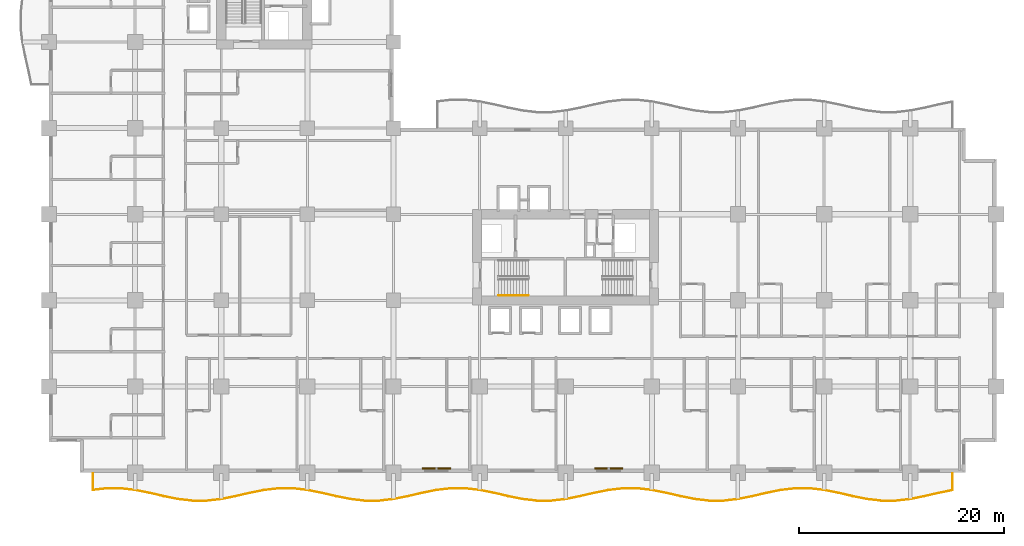
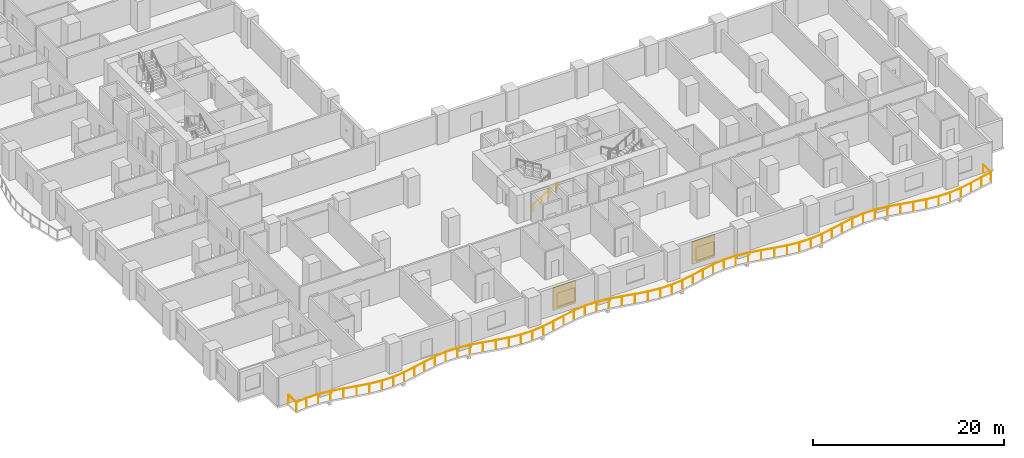
# One storey, part 17 of 20: 2 railings, 2 shading devices.
"""IFC4 building model written with IfcOpenShell, lengths in metres."""

from ifc_helpers import new_model, si_unit, direction, frame, origin, origin_2d, place, context, subcontext, project, spatial, rectangle, circle, extrude, material, layer, layer_set, type_object, element, save


model = new_model("IFC4")

# Units and contexts
model_context = context("Model", 3, precision=1e-05, world=origin(), true_north=direction((0.0, 1.0)))
body_context = subcontext(model_context, "Body", "Model", "MODEL_VIEW")
ifc_project = project(units=[si_unit("LENGTHUNIT", "METRE"), si_unit("AREAUNIT", "SQUARE_METRE"), si_unit("VOLUMEUNIT", "CUBIC_METRE"), si_unit("PLANEANGLEUNIT", "RADIAN"), si_unit("MASSUNIT", "GRAM", prefix="KILO")], contexts=[model_context])

# Site, building, storey
site_placement = place(None, origin())
site = spatial("IfcSite", under=ifc_project, at=site_placement, CompositionType="ELEMENT")
building_placement = place(site_placement, origin())
building = spatial("IfcBuilding", under=site, at=building_placement, Name="Koriwani Terraces Tower", CompositionType="ELEMENT")
storey_placement = place(building_placement, frame((0.0, 0.0, 35.800048828125)))
storey = spatial("IfcBuildingStorey", under=building, at=storey_placement, Name="L07", CompositionType="ELEMENT", Elevation=35.800048828125)

# Railings
ifc_material_1 = material(Name="Steel ASTM A572 Grade 50", Category="steel")
railing_type_1 = type_object("IfcRailingType", Name="GUARD_BALUSTRADE_1150", PredefinedType="BALUSTRADE", material=ifc_material_1)
railing_1_placement = place(storey_placement, frame((4.280029296875, -0.080078125, 0.0)))
element("IfcRailing", 1, at=railing_1_placement, inside=storey, type_object=railing_type_1, Name="L07 Balcony Perimeter Safety Balustrade (S)", PredefinedType="BALUSTRADE", context=body_context, shape_type="SweptSolid", body=[
    extrude(circle(Radius=0.02392578125, at=origin_2d()), frame((0.0, 0.0, 1.1259765625), z_axis=(0.0, -1.0, 0.0), x_axis=(1.0, 0.0, 0.0)), (0.0, 0.0, 1.0), 1.61328125),
    extrude(circle(Radius=0.02392578125, at=origin_2d()), frame((0.0, -1.61328125, 1.1259765625), z_axis=(0.993402474505, 0.11468009264, 0.0), x_axis=(-0.11468009264, 0.993402474505, 0.0)), (0.0, 0.0, 1.0), 1.32421875),
    extrude(circle(Radius=0.02392578125, at=origin_2d()), frame((1.3154296875, -1.46142578125, 1.1259765625), z_axis=(1.0, 0.0, 0.0), x_axis=(0.0, 1.0, 0.0)), (0.0, 0.0, 1.0), 1.4091796875),
    extrude(circle(Radius=0.02392578125, at=origin_2d()), frame((2.724609375, -1.46142578125, 1.1259765625), z_axis=(0.993395347306, -0.114741814309, 0.0), x_axis=(0.114741814309, 0.993395347306, 0.0)), (0.0, 0.0, 1.0), 1.4169921875),
    extrude(circle(Radius=0.02392578125, at=origin_2d()), frame((4.13232421875, -1.6240234375, 1.1259765625), z_axis=(0.980567562379, -0.196181690301, 0.0), x_axis=(0.196181690301, 0.980567562379, 0.0)), (0.0, 0.0, 1.0), 1.432373046875),
    extrude(circle(Radius=0.02392578125, at=origin_2d()), frame((5.536865234375, -1.905029296875, 1.1259765625), z_axis=(0.974325285753, -0.225144925641, 0.0), x_axis=(0.225144925641, 0.974325285753, 0.0)), (0.0, 0.0, 1.0), 1.436767578125),
    extrude(circle(Radius=0.02392578125, at=origin_2d()), frame((6.936767578125, -2.228515625, 1.1259765625), z_axis=(0.980560880312, -0.196215086073, 0.0), x_axis=(0.196215086073, 0.980560880312, 0.0)), (0.0, 0.0, 1.0), 1.42333984375),
    extrude(circle(Radius=0.02392578125, at=origin_2d()), frame((8.33251953125, -2.5078125, 1.1259765625), z_axis=(0.993387554732, -0.114809259658, 0.0), x_axis=(0.114809259658, 0.993387554732, 0.0)), (0.0, 0.0, 1.0), 1.4013671875),
    extrude(circle(Radius=0.02392578125, at=origin_2d()), frame((9.724609375, -2.668701171875, 1.1259765625), z_axis=(1.0, 0.0, 0.0), x_axis=(0.0, 1.0, 0.0)), (0.0, 0.0, 1.0), 1.390869140625),
    extrude(circle(Radius=0.02392578125, at=origin_2d()), frame((11.115478515625, -2.668701171875, 1.1259765625), z_axis=(0.993387554732, 0.114809259658, 0.0), x_axis=(-0.114809259658, 0.993387554732, 0.0)), (0.0, 0.0, 1.0), 1.4013671875),
    extrude(circle(Radius=0.02392578125, at=origin_2d()), frame((12.507568359375, -2.5078125, 1.1259765625), z_axis=(0.980554275191, 0.196248091466, 0.0), x_axis=(-0.196248091466, 0.980554275191, 0.0)), (0.0, 0.0, 1.0), 1.423095703125),
    extrude(circle(Radius=0.02392578125, at=origin_2d()), frame((13.903076171875, -2.228515625, 1.1259765625), z_axis=(0.974325285753, 0.225144925641, 0.0), x_axis=(-0.225144925641, 0.974325285753, 0.0)), (0.0, 0.0, 1.0), 1.436767578125),
    extrude(circle(Radius=0.02392578125, at=origin_2d()), frame((15.302978515625, -1.905029296875, 1.1259765625), z_axis=(0.980567562379, 0.196181690301, 0.0), x_axis=(-0.196181690301, 0.980567562379, 0.0)), (0.0, 0.0, 1.0), 1.432373046875),
    extrude(circle(Radius=0.02392578125, at=origin_2d()), frame((16.70751953125, -1.6240234375, 1.1259765625), z_axis=(0.993397614974, 0.114722179915, 0.0), x_axis=(-0.114722179915, 0.993397614974, 0.0)), (0.0, 0.0, 1.0), 1.417236328125),
    extrude(circle(Radius=0.02392578125, at=origin_2d()), frame((18.115478515625, -1.46142578125, 1.1259765625), z_axis=(1.0, 0.0, 0.0), x_axis=(0.0, 1.0, 0.0)), (0.0, 0.0, 1.0), 1.4091796875),
    extrude(circle(Radius=0.02392578125, at=origin_2d()), frame((19.524658203125, -1.46142578125, 1.1259765625), z_axis=(0.993395347306, -0.114741814309, 0.0), x_axis=(0.114741814309, 0.993395347306, 0.0)), (0.0, 0.0, 1.0), 1.4169921875),
    extrude(circle(Radius=0.02392578125, at=origin_2d()), frame((20.932373046875, -1.6240234375, 1.1259765625), z_axis=(0.980567562379, -0.196181690301, 0.0), x_axis=(0.196181690301, 0.980567562379, 0.0)), (0.0, 0.0, 1.0), 1.432373046875),
    extrude(circle(Radius=0.02392578125, at=origin_2d()), frame((22.3369140625, -1.905029296875, 1.1259765625), z_axis=(0.974325285753, -0.225144925641, 0.0), x_axis=(0.225144925641, 0.974325285753, 0.0)), (0.0, 0.0, 1.0), 1.436767578125),
    extrude(circle(Radius=0.02392578125, at=origin_2d()), frame((23.73681640625, -2.228515625, 1.1259765625), z_axis=(0.980560880312, -0.196215086073, 0.0), x_axis=(0.196215086073, 0.980560880312, 0.0)), (0.0, 0.0, 1.0), 1.42333984375),
    extrude(circle(Radius=0.02392578125, at=origin_2d()), frame((25.132568359375, -2.5078125, 1.1259765625), z_axis=(0.993387554732, -0.114809259658, 0.0), x_axis=(0.114809259658, 0.993387554732, 0.0)), (0.0, 0.0, 1.0), 1.4013671875),
    extrude(circle(Radius=0.02392578125, at=origin_2d()), frame((26.524658203125, -2.668701171875, 1.1259765625), z_axis=(1.0, 0.0, 0.0), x_axis=(0.0, 1.0, 0.0)), (0.0, 0.0, 1.0), 1.390625),
    extrude(circle(Radius=0.02392578125, at=origin_2d()), frame((27.915283203125, -2.668701171875, 1.1259765625), z_axis=(0.993387554732, 0.114809259658, 0.0), x_axis=(-0.114809259658, 0.993387554732, 0.0)), (0.0, 0.0, 1.0), 1.4013671875),
    extrude(circle(Radius=0.02392578125, at=origin_2d()), frame((29.307373046875, -2.5078125, 1.1259765625), z_axis=(0.980560880312, 0.196215086073, 0.0), x_axis=(-0.196215086073, 0.980560880312, 0.0)), (0.0, 0.0, 1.0), 1.42333984375),
    extrude(circle(Radius=0.02392578125, at=origin_2d()), frame((30.703125, -2.228515625, 1.1259765625), z_axis=(0.974325285753, 0.225144925641, 0.0), x_axis=(-0.225144925641, 0.974325285753, 0.0)), (0.0, 0.0, 1.0), 1.436767578125),
    extrude(circle(Radius=0.02392578125, at=origin_2d()), frame((32.10302734375, -1.905029296875, 1.1259765625), z_axis=(0.980567562379, 0.196181690301, 0.0), x_axis=(-0.196181690301, 0.980567562379, 0.0)), (0.0, 0.0, 1.0), 1.432373046875),
    extrude(circle(Radius=0.02392578125, at=origin_2d()), frame((33.507568359375, -1.6240234375, 1.1259765625), z_axis=(0.993395347306, 0.114741814309, 0.0), x_axis=(-0.114741814309, 0.993395347306, 0.0)), (0.0, 0.0, 1.0), 1.4169921875),
    extrude(circle(Radius=0.02392578125, at=origin_2d()), frame((34.915283203125, -1.46142578125, 1.1259765625), z_axis=(1.0, 0.0, 0.0), x_axis=(0.0, 1.0, 0.0)), (0.0, 0.0, 1.0), 1.4091796875),
    extrude(circle(Radius=0.02392578125, at=origin_2d()), frame((36.324462890625, -1.46142578125, 1.1259765625), z_axis=(0.993397614974, -0.114722179915, 0.0), x_axis=(0.114722179915, 0.993397614974, 0.0)), (0.0, 0.0, 1.0), 1.417236328125),
    extrude(circle(Radius=0.02392578125, at=origin_2d()), frame((37.732421875, -1.6240234375, 1.1259765625), z_axis=(0.980567562379, -0.196181690301, 0.0), x_axis=(0.196181690301, 0.980567562379, 0.0)), (0.0, 0.0, 1.0), 1.432373046875),
    extrude(circle(Radius=0.02392578125, at=origin_2d()), frame((39.136962890625, -1.905029296875, 1.1259765625), z_axis=(0.974325285753, -0.225144925641, 0.0), x_axis=(0.225144925641, 0.974325285753, 0.0)), (0.0, 0.0, 1.0), 1.436767578125),
    extrude(circle(Radius=0.02392578125, at=origin_2d()), frame((40.536865234375, -2.228515625, 1.1259765625), z_axis=(0.980554275191, -0.196248091466, 0.0), x_axis=(0.196248091466, 0.980554275191, 0.0)), (0.0, 0.0, 1.0), 1.423095703125),
    extrude(circle(Radius=0.02392578125, at=origin_2d()), frame((41.932373046875, -2.5078125, 1.1259765625), z_axis=(0.993387554732, -0.114809259658, 0.0), x_axis=(0.114809259658, 0.993387554732, 0.0)), (0.0, 0.0, 1.0), 1.4013671875),
    extrude(circle(Radius=0.02392578125, at=origin_2d()), frame((43.324462890625, -2.668701171875, 1.1259765625), z_axis=(1.0, 0.0, 0.0), x_axis=(0.0, 1.0, 0.0)), (0.0, 0.0, 1.0), 1.390869140625),
    extrude(circle(Radius=0.02392578125, at=origin_2d()), frame((44.71533203125, -2.668701171875, 1.1259765625), z_axis=(0.993387554732, 0.114809259658, 0.0), x_axis=(-0.114809259658, 0.993387554732, 0.0)), (0.0, 0.0, 1.0), 1.4013671875),
    extrude(circle(Radius=0.02392578125, at=origin_2d()), frame((46.107421875, -2.5078125, 1.1259765625), z_axis=(0.980560880312, 0.196215086073, 0.0), x_axis=(-0.196215086073, 0.980560880312, 0.0)), (0.0, 0.0, 1.0), 1.42333984375),
    extrude(circle(Radius=0.02392578125, at=origin_2d()), frame((47.503173828125, -2.228515625, 1.1259765625), z_axis=(0.974325285753, 0.225144925641, 0.0), x_axis=(-0.225144925641, 0.974325285753, 0.0)), (0.0, 0.0, 1.0), 1.436767578125),
    extrude(circle(Radius=0.02392578125, at=origin_2d()), frame((48.903076171875, -1.905029296875, 1.1259765625), z_axis=(0.980567562379, 0.196181690301, 0.0), x_axis=(-0.196181690301, 0.980567562379, 0.0)), (0.0, 0.0, 1.0), 1.432373046875),
    extrude(circle(Radius=0.02392578125, at=origin_2d()), frame((50.3076171875, -1.6240234375, 1.1259765625), z_axis=(0.993395347306, 0.114741814309, 0.0), x_axis=(-0.114741814309, 0.993395347306, 0.0)), (0.0, 0.0, 1.0), 1.4169921875),
    extrude(circle(Radius=0.02392578125, at=origin_2d()), frame((51.71533203125, -1.46142578125, 1.1259765625), z_axis=(1.0, 0.0, 0.0), x_axis=(0.0, 1.0, 0.0)), (0.0, 0.0, 1.0), 1.4091796875),
    extrude(circle(Radius=0.02392578125, at=origin_2d()), frame((53.12451171875, -1.46142578125, 1.1259765625), z_axis=(0.993397614974, -0.114722179915, 0.0), x_axis=(0.114722179915, 0.993397614974, 0.0)), (0.0, 0.0, 1.0), 1.417236328125),
    extrude(circle(Radius=0.02392578125, at=origin_2d()), frame((54.532470703125, -1.6240234375, 1.1259765625), z_axis=(0.980561000791, -0.19621448399, 0.0), x_axis=(0.19621448399, 0.980561000791, 0.0)), (0.0, 0.0, 1.0), 1.43212890625),
    extrude(circle(Radius=0.02392578125, at=origin_2d()), frame((55.936767578125, -1.905029296875, 1.1259765625), z_axis=(0.974333896935, -0.225107657095, 0.0), x_axis=(0.225107657095, 0.974333896935, 0.0)), (0.0, 0.0, 1.0), 1.43701171875),
    extrude(circle(Radius=0.02392578125, at=origin_2d()), frame((57.3369140625, -2.228515625, 1.1259765625), z_axis=(0.980554275191, -0.196248091466, 0.0), x_axis=(0.196248091466, 0.980554275191, 0.0)), (0.0, 0.0, 1.0), 1.423095703125),
    extrude(circle(Radius=0.02392578125, at=origin_2d()), frame((58.732421875, -2.5078125, 1.1259765625), z_axis=(0.993387554732, -0.114809259658, 0.0), x_axis=(0.114809259658, 0.993387554732, 0.0)), (0.0, 0.0, 1.0), 1.4013671875),
    extrude(circle(Radius=0.02392578125, at=origin_2d()), frame((60.12451171875, -2.668701171875, 1.1259765625), z_axis=(1.0, 0.0, 0.0), x_axis=(0.0, 1.0, 0.0)), (0.0, 0.0, 1.0), 1.390869140625),
    extrude(circle(Radius=0.02392578125, at=origin_2d()), frame((61.515380859375, -2.668701171875, 1.1259765625), z_axis=(0.993387554732, 0.114809259658, 0.0), x_axis=(-0.114809259658, 0.993387554732, 0.0)), (0.0, 0.0, 1.0), 1.4013671875),
    extrude(circle(Radius=0.02392578125, at=origin_2d()), frame((62.907470703125, -2.5078125, 1.1259765625), z_axis=(0.980554275191, 0.196248091466, 0.0), x_axis=(-0.196248091466, 0.980554275191, 0.0)), (0.0, 0.0, 1.0), 1.423095703125),
    extrude(circle(Radius=0.02392578125, at=origin_2d()), frame((64.302978515625, -2.228515625, 1.1259765625), z_axis=(0.974333896935, 0.225107657095, 0.0), x_axis=(-0.225107657095, 0.974333896935, 0.0)), (0.0, 0.0, 1.0), 1.43701171875),
    extrude(circle(Radius=0.02392578125, at=origin_2d()), frame((65.703125, -1.905029296875, 1.1259765625), z_axis=(0.980567562379, 0.196181690301, 0.0), x_axis=(-0.196181690301, 0.980567562379, 0.0)), (0.0, 0.0, 1.0), 1.432373046875),
    extrude(circle(Radius=0.02392578125, at=origin_2d()), frame((67.107666015625, -1.6240234375, 1.1259765625), z_axis=(0.993395347306, 0.114741814309, 0.0), x_axis=(-0.114741814309, 0.993395347306, 0.0)), (0.0, 0.0, 1.0), 1.4169921875),
    extrude(circle(Radius=0.02392578125, at=origin_2d()), frame((68.515380859375, -1.46142578125, 1.1259765625), z_axis=(1.0, 0.0, 0.0), x_axis=(0.0, 1.0, 0.0)), (0.0, 0.0, 1.0), 1.4091796875),
    extrude(circle(Radius=0.02392578125, at=origin_2d()), frame((69.924560546875, -1.46142578125, 1.1259765625), z_axis=(0.993395347306, -0.114741814309, 0.0), x_axis=(0.114741814309, 0.993395347306, 0.0)), (0.0, 0.0, 1.0), 1.4169921875),
    extrude(circle(Radius=0.02392578125, at=origin_2d()), frame((71.332275390625, -1.6240234375, 1.1259765625), z_axis=(0.980567562379, -0.196181690301, 0.0), x_axis=(0.196181690301, 0.980567562379, 0.0)), (0.0, 0.0, 1.0), 1.432373046875),
    extrude(circle(Radius=0.02392578125, at=origin_2d()), frame((72.73681640625, -1.905029296875, 1.1259765625), z_axis=(0.974333896935, -0.225107657095, 0.0), x_axis=(0.225107657095, 0.974333896935, 0.0)), (0.0, 0.0, 1.0), 1.43701171875),
    extrude(circle(Radius=0.02392578125, at=origin_2d()), frame((74.136962890625, -2.228515625, 1.1259765625), z_axis=(0.980554275191, -0.196248091466, 0.0), x_axis=(0.196248091466, 0.980554275191, 0.0)), (0.0, 0.0, 1.0), 1.423095703125),
    extrude(circle(Radius=0.02392578125, at=origin_2d()), frame((75.532470703125, -2.5078125, 1.1259765625), z_axis=(0.993387554732, -0.114809259658, 0.0), x_axis=(0.114809259658, 0.993387554732, 0.0)), (0.0, 0.0, 1.0), 1.4013671875),
    extrude(circle(Radius=0.02392578125, at=origin_2d()), frame((76.924560546875, -2.668701171875, 1.1259765625), z_axis=(1.0, 0.0, 0.0), x_axis=(0.0, 1.0, 0.0)), (0.0, 0.0, 1.0), 1.390869140625),
    extrude(circle(Radius=0.02392578125, at=origin_2d()), frame((78.3154296875, -2.668701171875, 1.1259765625), z_axis=(0.993387554732, 0.114809259658, 0.0), x_axis=(-0.114809259658, 0.993387554732, 0.0)), (0.0, 0.0, 1.0), 1.4013671875),
    extrude(circle(Radius=0.02392578125, at=origin_2d()), frame((79.70751953125, -2.5078125, 1.1259765625), z_axis=(0.980554275191, 0.196248091466, 0.0), x_axis=(-0.196248091466, 0.980554275191, 0.0)), (0.0, 0.0, 1.0), 1.423095703125),
    extrude(circle(Radius=0.02392578125, at=origin_2d()), frame((81.10302734375, -2.228515625, 1.1259765625), z_axis=(0.974333896935, 0.225107657095, 0.0), x_axis=(-0.225107657095, 0.974333896935, 0.0)), (0.0, 0.0, 1.0), 1.43701171875),
    extrude(circle(Radius=0.02392578125, at=origin_2d()), frame((82.503173828125, -1.905029296875, 1.1259765625), z_axis=(0.980553117747, 0.196253874553, 0.0), x_axis=(-0.196253874553, 0.980553117747, 0.0)), (0.0, 0.0, 1.0), 1.363525390625),
    extrude(circle(Radius=0.02392578125, at=origin_2d()), frame((83.840087890625, -1.637451171875, 1.1259765625), z_axis=(0.0, 1.0, 0.0), x_axis=(-1.0, 0.0, 0.0)), (0.0, 0.0, 1.0), 1.637451171875),
    extrude(circle(Radius=0.02099609375, at=origin_2d()), origin(), (0.0, 0.0, 1.0), 1.101806640625),
    extrude(circle(Radius=0.02099609375, at=origin_2d()), frame((0.0, -1.61328125, 0.0)), (0.0, 0.0, 1.0), 1.101806640625),
    extrude(circle(Radius=0.02099609375, at=origin_2d()), frame((1.3154296875, -1.46142578125, 0.0)), (0.0, 0.0, 1.0), 1.101806640625),
    extrude(circle(Radius=0.02099609375, at=origin_2d()), frame((2.724609375, -1.46142578125, 0.0)), (0.0, 0.0, 1.0), 1.101806640625),
    extrude(circle(Radius=0.02099609375, at=origin_2d()), frame((4.13232421875, -1.6240234375, 0.0)), (0.0, 0.0, 1.0), 1.101806640625),
    extrude(circle(Radius=0.02099609375, at=origin_2d()), frame((5.536865234375, -1.905029296875, 0.0)), (0.0, 0.0, 1.0), 1.101806640625),
    extrude(circle(Radius=0.02099609375, at=origin_2d()), frame((6.936767578125, -2.228515625, 0.0)), (0.0, 0.0, 1.0), 1.101806640625),
    extrude(circle(Radius=0.02099609375, at=origin_2d()), frame((8.33251953125, -2.5078125, 0.0)), (0.0, 0.0, 1.0), 1.101806640625),
    extrude(circle(Radius=0.02099609375, at=origin_2d()), frame((9.724609375, -2.668701171875, 0.0)), (0.0, 0.0, 1.0), 1.101806640625),
    extrude(circle(Radius=0.02099609375, at=origin_2d()), frame((11.115478515625, -2.668701171875, 0.0)), (0.0, 0.0, 1.0), 1.101806640625),
    extrude(circle(Radius=0.02099609375, at=origin_2d()), frame((12.507568359375, -2.5078125, 0.0)), (0.0, 0.0, 1.0), 1.101806640625),
    extrude(circle(Radius=0.02099609375, at=origin_2d()), frame((13.903076171875, -2.228515625, 0.0)), (0.0, 0.0, 1.0), 1.101806640625),
    extrude(circle(Radius=0.02099609375, at=origin_2d()), frame((15.302978515625, -1.905029296875, 0.0)), (0.0, 0.0, 1.0), 1.101806640625),
    extrude(circle(Radius=0.02099609375, at=origin_2d()), frame((16.70751953125, -1.6240234375, 0.0)), (0.0, 0.0, 1.0), 1.101806640625),
    extrude(circle(Radius=0.02099609375, at=origin_2d()), frame((18.115478515625, -1.46142578125, 0.0)), (0.0, 0.0, 1.0), 1.101806640625),
    extrude(circle(Radius=0.02099609375, at=origin_2d()), frame((19.524658203125, -1.46142578125, 0.0)), (0.0, 0.0, 1.0), 1.101806640625),
    extrude(circle(Radius=0.02099609375, at=origin_2d()), frame((20.932373046875, -1.6240234375, 0.0)), (0.0, 0.0, 1.0), 1.101806640625),
    extrude(circle(Radius=0.02099609375, at=origin_2d()), frame((22.3369140625, -1.905029296875, 0.0)), (0.0, 0.0, 1.0), 1.101806640625),
    extrude(circle(Radius=0.02099609375, at=origin_2d()), frame((23.73681640625, -2.228515625, 0.0)), (0.0, 0.0, 1.0), 1.101806640625),
    extrude(circle(Radius=0.02099609375, at=origin_2d()), frame((25.132568359375, -2.5078125, 0.0)), (0.0, 0.0, 1.0), 1.101806640625),
    extrude(circle(Radius=0.02099609375, at=origin_2d()), frame((26.524658203125, -2.668701171875, 0.0)), (0.0, 0.0, 1.0), 1.101806640625),
    extrude(circle(Radius=0.02099609375, at=origin_2d()), frame((27.915283203125, -2.668701171875, 0.0)), (0.0, 0.0, 1.0), 1.101806640625),
    extrude(circle(Radius=0.02099609375, at=origin_2d()), frame((29.307373046875, -2.5078125, 0.0)), (0.0, 0.0, 1.0), 1.101806640625),
    extrude(circle(Radius=0.02099609375, at=origin_2d()), frame((30.703125, -2.228515625, 0.0)), (0.0, 0.0, 1.0), 1.101806640625),
    extrude(circle(Radius=0.02099609375, at=origin_2d()), frame((32.10302734375, -1.905029296875, 0.0)), (0.0, 0.0, 1.0), 1.101806640625),
    extrude(circle(Radius=0.02099609375, at=origin_2d()), frame((33.507568359375, -1.6240234375, 0.0)), (0.0, 0.0, 1.0), 1.101806640625),
    extrude(circle(Radius=0.02099609375, at=origin_2d()), frame((34.915283203125, -1.46142578125, 0.0)), (0.0, 0.0, 1.0), 1.101806640625),
    extrude(circle(Radius=0.02099609375, at=origin_2d()), frame((36.324462890625, -1.46142578125, 0.0)), (0.0, 0.0, 1.0), 1.101806640625),
    extrude(circle(Radius=0.02099609375, at=origin_2d()), frame((37.732421875, -1.6240234375, 0.0)), (0.0, 0.0, 1.0), 1.101806640625),
    extrude(circle(Radius=0.02099609375, at=origin_2d()), frame((39.136962890625, -1.905029296875, 0.0)), (0.0, 0.0, 1.0), 1.101806640625),
    extrude(circle(Radius=0.02099609375, at=origin_2d()), frame((40.536865234375, -2.228515625, 0.0)), (0.0, 0.0, 1.0), 1.101806640625),
    extrude(circle(Radius=0.02099609375, at=origin_2d()), frame((41.932373046875, -2.5078125, 0.0)), (0.0, 0.0, 1.0), 1.101806640625),
    extrude(circle(Radius=0.02099609375, at=origin_2d()), frame((43.324462890625, -2.668701171875, 0.0)), (0.0, 0.0, 1.0), 1.101806640625),
    extrude(circle(Radius=0.02099609375, at=origin_2d()), frame((44.71533203125, -2.668701171875, 0.0)), (0.0, 0.0, 1.0), 1.101806640625),
    extrude(circle(Radius=0.02099609375, at=origin_2d()), frame((46.107421875, -2.5078125, 0.0)), (0.0, 0.0, 1.0), 1.101806640625),
    extrude(circle(Radius=0.02099609375, at=origin_2d()), frame((47.503173828125, -2.228515625, 0.0)), (0.0, 0.0, 1.0), 1.101806640625),
    extrude(circle(Radius=0.02099609375, at=origin_2d()), frame((48.903076171875, -1.905029296875, 0.0)), (0.0, 0.0, 1.0), 1.101806640625),
    extrude(circle(Radius=0.02099609375, at=origin_2d()), frame((50.3076171875, -1.6240234375, 0.0)), (0.0, 0.0, 1.0), 1.101806640625),
    extrude(circle(Radius=0.02099609375, at=origin_2d()), frame((51.71533203125, -1.46142578125, 0.0)), (0.0, 0.0, 1.0), 1.101806640625),
    extrude(circle(Radius=0.02099609375, at=origin_2d()), frame((53.12451171875, -1.46142578125, 0.0)), (0.0, 0.0, 1.0), 1.101806640625),
    extrude(circle(Radius=0.02099609375, at=origin_2d()), frame((54.532470703125, -1.6240234375, 0.0)), (0.0, 0.0, 1.0), 1.101806640625),
    extrude(circle(Radius=0.02099609375, at=origin_2d()), frame((55.936767578125, -1.905029296875, 0.0)), (0.0, 0.0, 1.0), 1.101806640625),
    extrude(circle(Radius=0.02099609375, at=origin_2d()), frame((57.3369140625, -2.228515625, 0.0)), (0.0, 0.0, 1.0), 1.101806640625),
    extrude(circle(Radius=0.02099609375, at=origin_2d()), frame((58.732421875, -2.5078125, 0.0)), (0.0, 0.0, 1.0), 1.101806640625),
    extrude(circle(Radius=0.02099609375, at=origin_2d()), frame((60.12451171875, -2.668701171875, 0.0)), (0.0, 0.0, 1.0), 1.101806640625),
    extrude(circle(Radius=0.02099609375, at=origin_2d()), frame((61.515380859375, -2.668701171875, 0.0)), (0.0, 0.0, 1.0), 1.101806640625),
    extrude(circle(Radius=0.02099609375, at=origin_2d()), frame((62.907470703125, -2.5078125, 0.0)), (0.0, 0.0, 1.0), 1.101806640625),
    extrude(circle(Radius=0.02099609375, at=origin_2d()), frame((64.302978515625, -2.228515625, 0.0)), (0.0, 0.0, 1.0), 1.101806640625),
    extrude(circle(Radius=0.02099609375, at=origin_2d()), frame((65.703125, -1.905029296875, 0.0)), (0.0, 0.0, 1.0), 1.101806640625),
    extrude(circle(Radius=0.02099609375, at=origin_2d()), frame((67.107666015625, -1.6240234375, 0.0)), (0.0, 0.0, 1.0), 1.101806640625),
    extrude(circle(Radius=0.02099609375, at=origin_2d()), frame((68.515380859375, -1.46142578125, 0.0)), (0.0, 0.0, 1.0), 1.101806640625),
    extrude(circle(Radius=0.02099609375, at=origin_2d()), frame((69.924560546875, -1.46142578125, 0.0)), (0.0, 0.0, 1.0), 1.101806640625),
    extrude(circle(Radius=0.02099609375, at=origin_2d()), frame((71.332275390625, -1.6240234375, 0.0)), (0.0, 0.0, 1.0), 1.101806640625),
    extrude(circle(Radius=0.02099609375, at=origin_2d()), frame((72.73681640625, -1.905029296875, 0.0)), (0.0, 0.0, 1.0), 1.101806640625),
    extrude(circle(Radius=0.02099609375, at=origin_2d()), frame((74.136962890625, -2.228515625, 0.0)), (0.0, 0.0, 1.0), 1.101806640625),
    extrude(circle(Radius=0.02099609375, at=origin_2d()), frame((75.532470703125, -2.5078125, 0.0)), (0.0, 0.0, 1.0), 1.101806640625),
    extrude(circle(Radius=0.02099609375, at=origin_2d()), frame((76.924560546875, -2.668701171875, 0.0)), (0.0, 0.0, 1.0), 1.101806640625),
    extrude(circle(Radius=0.02099609375, at=origin_2d()), frame((78.3154296875, -2.668701171875, 0.0)), (0.0, 0.0, 1.0), 1.101806640625),
    extrude(circle(Radius=0.02099609375, at=origin_2d()), frame((79.70751953125, -2.5078125, 0.0)), (0.0, 0.0, 1.0), 1.101806640625),
    extrude(circle(Radius=0.02099609375, at=origin_2d()), frame((81.10302734375, -2.228515625, 0.0)), (0.0, 0.0, 1.0), 1.101806640625),
    extrude(circle(Radius=0.02099609375, at=origin_2d()), frame((82.503173828125, -1.905029296875, 0.0)), (0.0, 0.0, 1.0), 1.101806640625),
    extrude(circle(Radius=0.02099609375, at=origin_2d()), frame((83.840087890625, -1.637451171875, 0.0)), (0.0, 0.0, 1.0), 1.101806640625),
    extrude(circle(Radius=0.02099609375, at=origin_2d()), frame((83.840087890625, 0.0, 0.0)), (0.0, 0.0, 1.0), 1.101806640625),
])
railing_type_2 = type_object("IfcRailingType", Name="HANDRAIL_STAIR_920", PredefinedType="HANDRAIL", material=ifc_material_1)
railing_2_placement = place(storey_placement, frame((43.85009765625, 17.300048828125, 0.172607421875)))
element("IfcRailing", 2, at=railing_2_placement, inside=storey, type_object=railing_type_2, Name="L07 ST-E1 stair handrail 1", PredefinedType="HANDRAIL", context=body_context, shape_type="SweptSolid", body=[
    extrude(circle(Radius=0.02392578125, at=origin_2d()), frame((0.0, 0.0, 0.8759765625), z_axis=(0.859141464434, 0.0, 0.511738159696), x_axis=(0.0, 1.0, 0.0)), (0.0, 0.0, 1.0), 3.375244140625),
    extrude(circle(Radius=0.02099609375, at=origin_2d()), origin(), (0.0, 0.0, 1.0), 0.851806640625),
    extrude(circle(Radius=0.02099609375, at=origin_2d()), frame((0.966552734375, 0.0, 0.57568359375)), (0.0, 0.0, 1.0), 0.851806640625),
    extrude(circle(Radius=0.02099609375, at=origin_2d()), frame((1.933349609375, 0.0, 1.151611328125)), (0.0, 0.0, 1.0), 0.851806640625),
    extrude(circle(Radius=0.02099609375, at=origin_2d()), frame((2.89990234375, 0.0, 1.727294921875)), (0.0, 0.0, 1.0), 0.851806640625),
])

# Shading devices
ifc_material_2 = material(Name="Extruded Terracotta Clay", Category="masonry")
ifc_layer = layer(ifc_material_2, 0.1201171875, Name="Extruded Terracotta Clay")
ifc_layer_set = layer_set([ifc_layer], Name="Extruded Terracotta Clay")
shading_device_type = type_object("IfcShadingDeviceType", Name="TERRACOTTA_BAGUETTE_SCREEN_2800", PredefinedType="USERDEFINED", material=ifc_layer_set)
for number, where, z_axis, x_axis, name in (
    (3, (37.800048828125, 0.405029296875, 0.324951171875), (0.0, 0.0, 1.0), (-1.0, 0.0, 0.0), "L07 Extruded Terracotta Baguette Screen (S-12)"),
    (4, (54.60009765625, 0.405029296875, 0.324951171875), (0.0, 0.0, 1.0), (-1.0, 0.0, 0.0), "L07 Extruded Terracotta Baguette Screen (S-18)"),
):
    element("IfcShadingDevice", number, at=place(storey_placement, frame(where, z_axis=z_axis, x_axis=x_axis)), inside=storey, type_object=shading_device_type, Name=name, ObjectType="BAGUETTE", PredefinedType="USERDEFINED", context=body_context, shape_type="SweptSolid", body=[
        extrude(rectangle(XDim=2.760009765625, YDim=0.1201171875, at=origin_2d()), origin(), (0.0, 0.0, 1.0), 2.89990234375),
    ])

save(model, "model.ifc")
